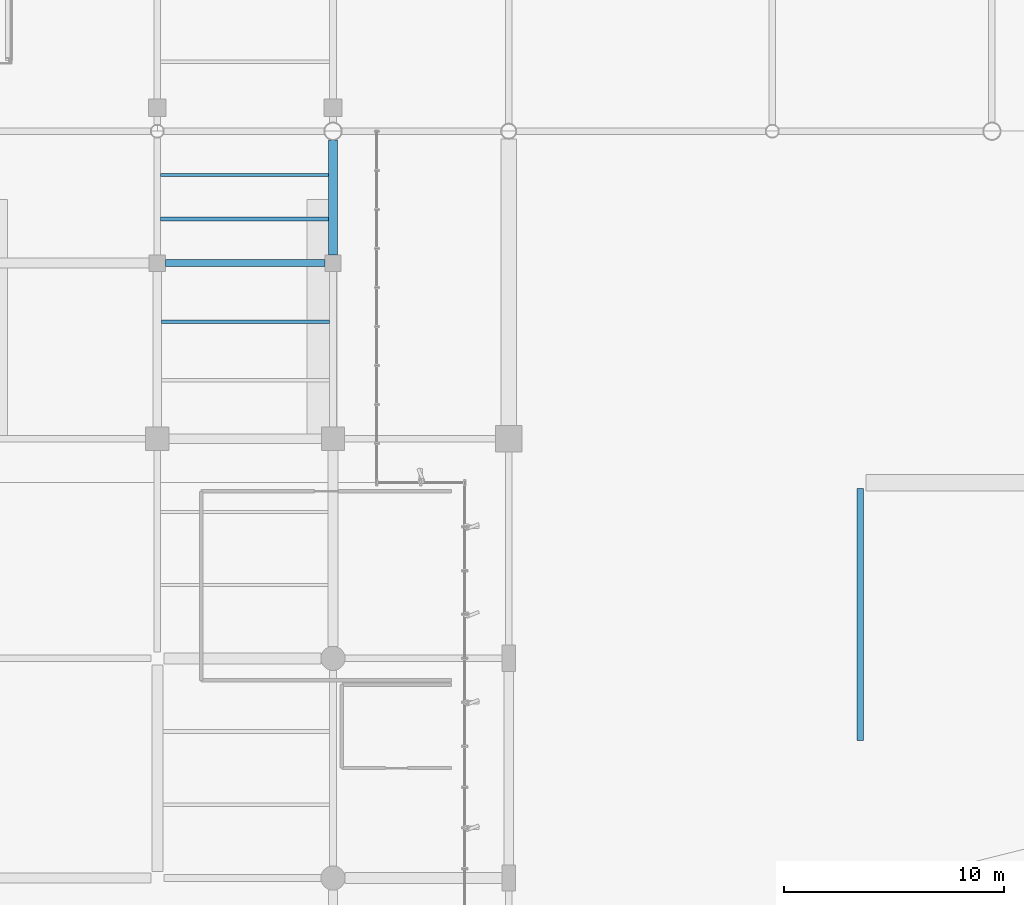
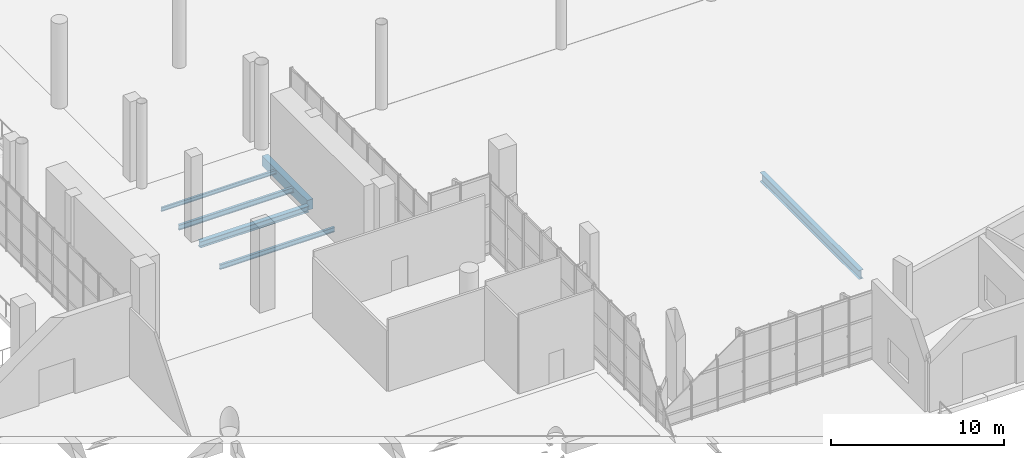
# One storey, part 98 of 163: 6 beams.
"""IFC4 building model written with IfcOpenShell, lengths in metres."""

from ifc_helpers import new_model, si_unit, direction, frame, origin, origin_2d, place, context, subcontext, project, spatial, rectangle, i_section, extrude, material, material_profile, profile_set, type_object, element, save


model = new_model("IFC4")

# Units and contexts
model_context = context("Model", 3, precision=1e-05, world=origin(), true_north=direction((0.0, 1.0)))
body_context = subcontext(model_context, "Body", "Model", "MODEL_VIEW")
ifc_project = project(units=[si_unit("LENGTHUNIT", "METRE"), si_unit("AREAUNIT", "SQUARE_METRE"), si_unit("VOLUMEUNIT", "CUBIC_METRE"), si_unit("PLANEANGLEUNIT", "RADIAN"), si_unit("MASSUNIT", "GRAM", prefix="KILO")], contexts=[model_context])

# Site, building, storey
site_placement = place(None, origin())
site = spatial("IfcSite", under=ifc_project, at=site_placement, CompositionType="ELEMENT")
building_placement = place(site_placement, origin())
building = spatial("IfcBuilding", under=site, at=building_placement, Name="Khorjan Park Terminus", CompositionType="ELEMENT")
storey_placement = place(building_placement, origin())
storey = spatial("IfcBuildingStorey", under=building, at=storey_placement, Name="L00", CompositionType="ELEMENT", Elevation=0.0)

# Beams
ifc_material_1 = material(Name="Steel S355", Category="steel")
ifc_material_profile_1 = material_profile(ifc_material_1, i_section(OverallWidth=0.3, OverallDepth=0.44, WebThickness=0.0115, FlangeThickness=0.021, FilletRadius=0.027, at=origin_2d()), Name="HEA 450")
ifc_profile_set_1 = profile_set([ifc_material_profile_1], Name="Steel S355")
beam_type_1 = type_object("IfcBeamType", Name="BM-HEA450", PredefinedType="BEAM", material=ifc_profile_set_1)
beam_1_placement = place(storey_placement, frame((120.37, 96.0, -0.58), z_axis=(1.0, 0.0, 0.0), x_axis=(0.0, 1.0, 0.0)))
element("IfcBeam", 1, at=beam_1_placement, inside=storey, type_object=beam_type_1, Name="Primary floor girder SB-A45 (L00)", PredefinedType="BEAM", context=body_context, shape_type="SweptSolid", body=[
    extrude(i_section(OverallWidth=0.3, OverallDepth=0.44, WebThickness=0.0115, FlangeThickness=0.021, FilletRadius=0.027, at=origin_2d()), origin(), (0.0, 0.0, 1.0), 7.26),
])
ifc_material_profile_2 = material_profile(ifc_material_1, i_section(OverallWidth=0.3, OverallDepth=0.64, WebThickness=0.0135, FlangeThickness=0.026, FilletRadius=0.027, at=origin_2d()), Name="HEA 650")
ifc_profile_set_2 = profile_set([ifc_material_profile_2], Name="Steel S355")
beam_type_2 = type_object("IfcBeamType", Name="BM-HEA650", PredefinedType="BEAM", material=ifc_profile_set_2)
beam_2_placement = place(storey_placement, frame((152.0, 74.27, -0.64), z_axis=(0.0, 1.0, 0.0), x_axis=(-1.0, 0.0, 0.0)))
element("IfcBeam", 2, at=beam_2_placement, inside=storey, type_object=beam_type_2, Name="Primary floor girder SB-A65 (L00)", PredefinedType="BEAM", context=body_context, shape_type="SweptSolid", body=[
    extrude(i_section(OverallWidth=0.3, OverallDepth=0.64, WebThickness=0.0135, FlangeThickness=0.026, FilletRadius=0.027, at=origin_2d()), origin(), (0.0, 0.0, 1.0), 11.46),
])
ifc_material_2 = material(Name="Concrete C40/50", Category="concrete")
ifc_material_profile_3 = material_profile(ifc_material_2, rectangle(XDim=0.4, YDim=0.7, at=origin_2d()), Name="RC 400x700")
ifc_profile_set_3 = profile_set([ifc_material_profile_3], Name="Concrete C40/50")
beam_type_3 = type_object("IfcBeamType", Name="BM-RC400x700", PredefinedType="BEAM", material=ifc_profile_set_3)
beam_3_placement = place(storey_placement, frame((128.0, 96.37, -0.71), z_axis=(0.0, 1.0, 0.0), x_axis=(-1.0, 0.0, 0.0)))
element("IfcBeam", 3, at=beam_3_placement, inside=storey, type_object=beam_type_3, Name="Primary floor girder GB-07 (L00)", PredefinedType="BEAM", context=body_context, shape_type="SweptSolid", body=[
    extrude(rectangle(XDim=0.4, YDim=0.7, at=origin_2d()), origin(), (0.0, 0.0, 1.0), 5.2285),
])
ifc_material_profile_4 = material_profile(ifc_material_1, i_section(OverallWidth=0.135, OverallDepth=0.27, WebThickness=0.0066, FlangeThickness=0.0102, FilletRadius=0.015, at=origin_2d()), Name="IPE 270")
ifc_profile_set_4 = profile_set([ifc_material_profile_4], Name="Steel S355")
beam_type_4 = type_object("IfcBeamType", Name="JS-IPE270", PredefinedType="JOIST", material=ifc_profile_set_4)
beam_4_placement = place(storey_placement, frame((120.15, 100.0, -0.495), z_axis=(1.0, 0.0, 0.0), x_axis=(0.0, 1.0, 0.0)))
element("IfcBeam", 4, at=beam_4_placement, inside=storey, type_object=beam_type_4, Name="Secondary composite floor joist SJ-27 (L00)", PredefinedType="JOIST", context=body_context, shape_type="SweptSolid", body=[
    extrude(i_section(OverallWidth=0.135, OverallDepth=0.27, WebThickness=0.0066, FlangeThickness=0.0102, FilletRadius=0.015, at=origin_2d()), origin(), (0.0, 0.0, 1.0), 7.65),
])
ifc_material_profile_5 = material_profile(ifc_material_1, i_section(OverallWidth=0.16, OverallDepth=0.33, WebThickness=0.0075, FlangeThickness=0.0115, FilletRadius=0.018, at=origin_2d()), Name="IPE 330")
ifc_profile_set_5 = profile_set([ifc_material_profile_5], Name="Steel S355")
beam_type_5 = type_object("IfcBeamType", Name="JS-IPE330", PredefinedType="JOIST", material=ifc_profile_set_5)
beam_5_placement = place(storey_placement, frame((120.2, 93.3333, -0.525), z_axis=(1.0, 0.0, 0.0), x_axis=(0.0, 1.0, 0.0)))
element("IfcBeam", 5, at=beam_5_placement, inside=storey, type_object=beam_type_5, Name="Secondary composite floor joist SJ-33 (L00)", PredefinedType="JOIST", context=body_context, shape_type="SweptSolid", body=[
    extrude(i_section(OverallWidth=0.16, OverallDepth=0.33, WebThickness=0.0075, FlangeThickness=0.0115, FilletRadius=0.018, at=origin_2d()), origin(), (0.0, 0.0, 1.0), 7.65),
])
ifc_material_profile_6 = material_profile(ifc_material_1, i_section(OverallWidth=0.17, OverallDepth=0.36, WebThickness=0.008, FlangeThickness=0.0127, FilletRadius=0.018, at=origin_2d()), Name="IPE 360")
ifc_profile_set_6 = profile_set([ifc_material_profile_6], Name="Steel S355")
beam_type_6 = type_object("IfcBeamType", Name="JS-IPE360", PredefinedType="JOIST", material=ifc_profile_set_6)
beam_6_placement = place(storey_placement, frame((120.15, 98.0, -0.54), z_axis=(1.0, 0.0, 0.0), x_axis=(0.0, 1.0, 0.0)))
element("IfcBeam", 6, at=beam_6_placement, inside=storey, type_object=beam_type_6, Name="Secondary composite floor joist SJ-36 (L00)", PredefinedType="JOIST", context=body_context, shape_type="SweptSolid", body=[
    extrude(i_section(OverallWidth=0.17, OverallDepth=0.36, WebThickness=0.008, FlangeThickness=0.0127, FilletRadius=0.018, at=origin_2d()), origin(), (0.0, 0.0, 1.0), 7.65),
])

save(model, "model.ifc")
